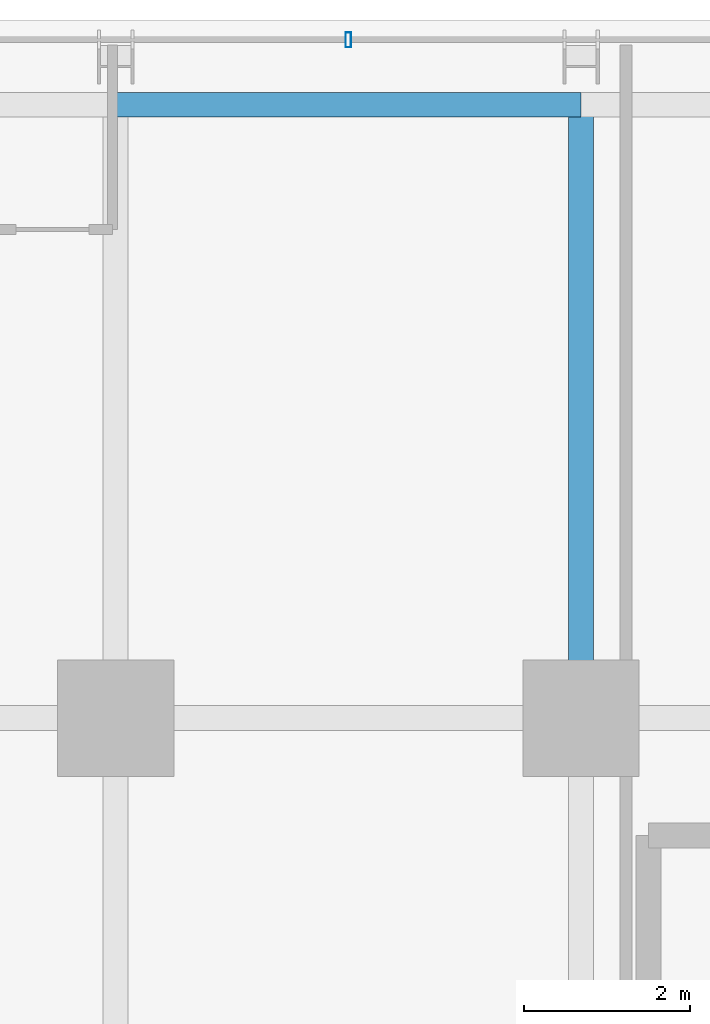
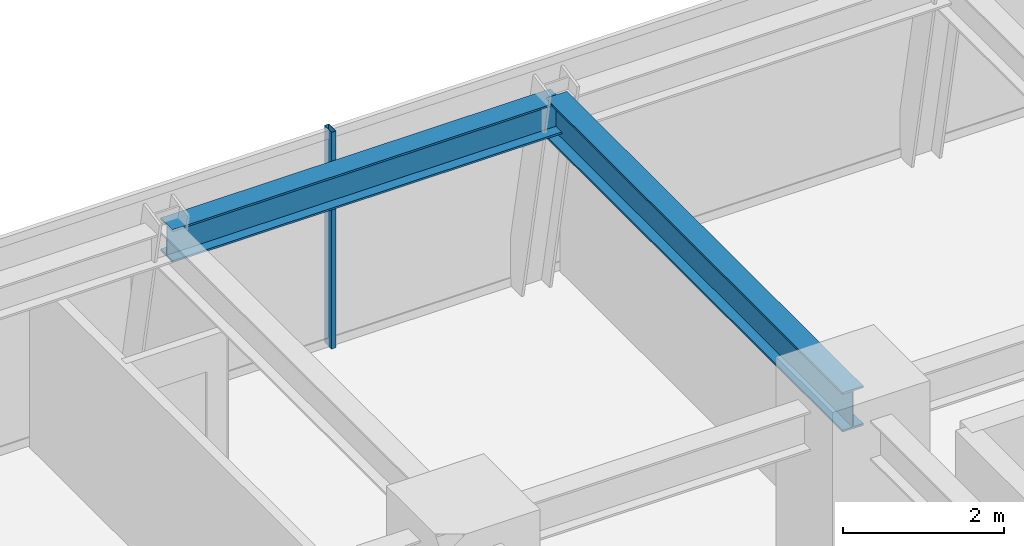
# One storey, part 22 of 35: 2 beams, 1 member, 1 element without a shape of its own.
"""IFC4 building model written with IfcOpenShell, lengths in metres."""

from ifc_helpers import new_model, si_unit, direction, frame, origin, origin_2d, place, context, subcontext, project, spatial, hollow_rectangle, i_section, extrude, source, transform, mapped, material, material_profile, profile_set, type_object, element, aggregate, save


model = new_model("IFC4")

# Units and contexts
model_context = context("Model", 3, precision=1e-05, world=origin(), true_north=direction((0.0, 1.0)))
body_context = subcontext(model_context, "Body", "Model", "MODEL_VIEW")
ifc_project = project(units=[si_unit("LENGTHUNIT", "METRE"), si_unit("AREAUNIT", "SQUARE_METRE"), si_unit("VOLUMEUNIT", "CUBIC_METRE"), si_unit("PLANEANGLEUNIT", "RADIAN"), si_unit("MASSUNIT", "GRAM", prefix="KILO")], contexts=[model_context])

# Site, building, storey
site_placement = place(None, origin())
site = spatial("IfcSite", under=ifc_project, at=site_placement, CompositionType="ELEMENT")
building_placement = place(site_placement, origin())
building = spatial("IfcBuilding", under=site, at=building_placement, Name="Nahalor Promenade Grand Hotel", CompositionType="ELEMENT")
storey_placement = place(building_placement, frame((0.0, 0.0, 79.85009765625)))
storey = spatial("IfcBuildingStorey", under=building, at=storey_placement, Name="L19", CompositionType="ELEMENT", Elevation=79.85009765625)

# Beams
ifc_material_1 = material(Name="Steel S355JR", Category="steel")
ifc_material_profile_1 = material_profile(ifc_material_1, i_section(OverallWidth=0.3, OverallDepth=0.5, WebThickness=0.0145, FlangeThickness=0.028, at=origin_2d()), Name="HEB 500")
ifc_profile_set_1 = profile_set([ifc_material_profile_1], Name="Steel S355JR")
beam_type_1 = type_object("IfcBeamType", Name="Beam-Spandrel-HEB500", PredefinedType="SPANDREL", material=ifc_profile_set_1)
shared_shape_1 = source(origin(), body_context, "Body", "SweptSolid", [
    extrude(i_section(OverallWidth=0.3, OverallDepth=0.5, WebThickness=0.0145, FlangeThickness=0.028, at=origin_2d()), origin(), (0.0, 0.0, 1.0), 5.60009765625),
])
beam_1_placement = place(storey_placement, frame((-2.800048828125, 24.3798828125, 3.039794921875), z_axis=(1.0, 0.0, 0.0), x_axis=(0.0, 1.0, 0.0)))
element("IfcBeam", 1, at=beam_1_placement, inside=storey, type_object=beam_type_1, Name="BM-L19-SP-N-2", PredefinedType="SPANDREL", context=body_context, shape_type="MappedRepresentation", body=[
    mapped(shared_shape_1, transform((0.0, 0.0, 0.0), scale=1.0)),
])
ifc_material_profile_2 = material_profile(ifc_material_1, i_section(OverallWidth=0.3, OverallDepth=0.6, WebThickness=0.0155, FlangeThickness=0.03, at=origin_2d()), Name="HEB 600")
ifc_profile_set_2 = profile_set([ifc_material_profile_2], Name="Steel S355JR")
beam_type_2 = type_object("IfcBeamType", Name="Beam-Girder-HEB600", PredefinedType="BEAM", material=ifc_profile_set_2)
shared_shape_2 = source(origin(), body_context, "Body", "SweptSolid", [
    extrude(i_section(OverallWidth=0.3, OverallDepth=0.6, WebThickness=0.0155, FlangeThickness=0.03, at=origin_2d()), origin(), (0.0, 0.0, 1.0), 7.3798828125),
])
beam_2_placement = place(storey_placement, frame((2.800048828125, 17.0, 2.989990234375), z_axis=(0.0, 1.0, 0.0), x_axis=(-1.0, 0.0, 0.0)))
element("IfcBeam", 2, at=beam_2_placement, inside=storey, type_object=beam_type_2, Name="BM-L19-GY-3-4", PredefinedType="BEAM", context=body_context, shape_type="MappedRepresentation", body=[
    mapped(shared_shape_2, transform((0.0, 0.0, 0.0), scale=1.0)),
])

# Curtain wall, member
ifc_material_2 = material(Name="Anodised Bronze Aluminium EN AW-6063 T6", Category="aluminium")
curtain_wall_type = type_object("IfcCurtainWallType", Name="CW2 Typical Hotel Flush Bronze Unitised Curtain Wall", PredefinedType="USERDEFINED", material=ifc_material_2)
curtain_wall_placement = place(storey_placement, origin())
curtain_wall = element("IfcCurtainWall", 3, at=curtain_wall_placement, inside=storey, type_object=curtain_wall_type, Name="L19 Curtain Wall CW-L19-N-1", ObjectType="UNITISED_CURTAIN_WALL", PredefinedType="USERDEFINED")
ifc_material_profile_3 = material_profile(ifc_material_2, hollow_rectangle(XDim=0.065, YDim=0.18, WallThickness=0.004, at=origin_2d()), Name="CWM 65x180x4")
ifc_profile_set_3 = profile_set([ifc_material_profile_3], Name="Anodised Bronze Aluminium EN AW-6063 T6")
member_type = type_object("IfcMemberType", Name="CWM2 Typical Bronze Mullion 65x180", PredefinedType="MULLION", material=ifc_profile_set_3)
shared_shape_3 = source(origin(), body_context, "Body", "SweptSolid", [
    extrude(hollow_rectangle(XDim=0.065, YDim=0.18, WallThickness=0.004, at=origin_2d()), origin(), (0.0, 0.0, 1.0), 3.289794921875),
])
member_placement = place(storey_placement, frame((0.0, 25.159912109375, 0.0), z_axis=(0.0, 0.0, 1.0), x_axis=(1.0, 0.0, 0.0)))
member = element("IfcMember", 4, at=member_placement, type_object=member_type, Name="CW-L19-N-1 Mullion 2", PredefinedType="MULLION", context=body_context, shape_type="MappedRepresentation", body=[
    mapped(shared_shape_3, transform((0.0, 0.0, 0.0), scale=1.0)),
])
aggregate(curtain_wall, [member])

save(model, "model.ifc")
